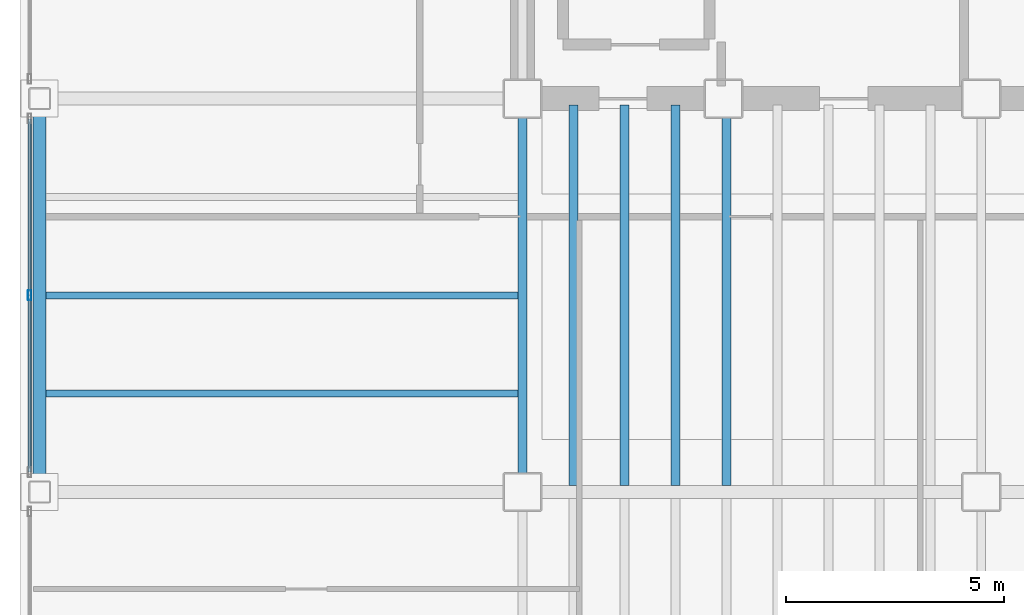
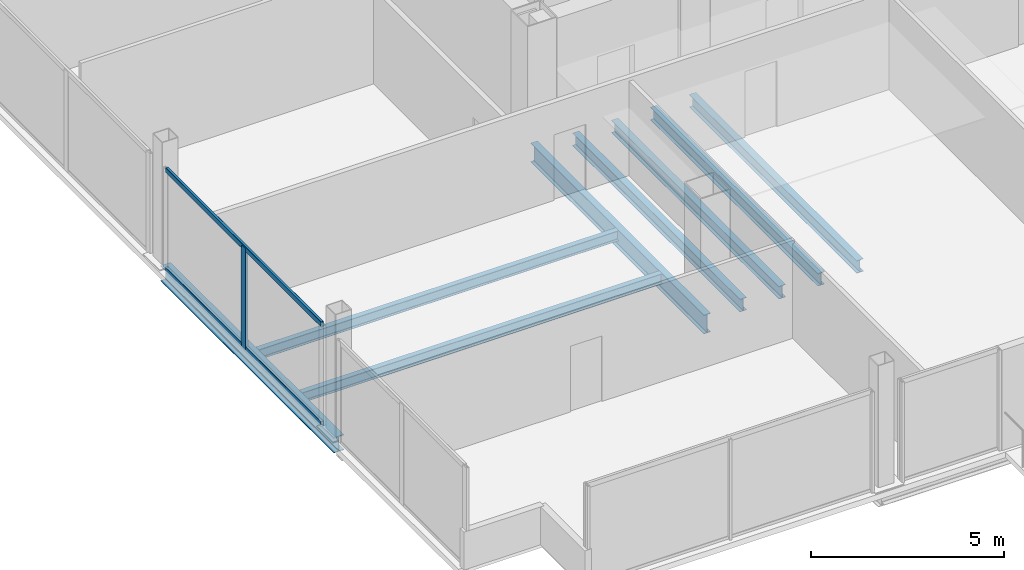
# One storey, part 3 of 20: 8 beams, 3 members, 1 element without a shape of its own.
"""IFC4 building model written with IfcOpenShell, lengths in metres."""

import ifcopenshell
import ifcopenshell.guid

model = None  # the IFC model being written
_history = None  # IfcOwnerHistory: only IFC2X3 demands one
_inside = {}  # id of a spatial element -> (the spatial element, [elements in it])
_under = {}  # id of a project, library or spatial element -> (it, [spatial elements below it])
_declared = {}  # id of a project -> (the project, [libraries it declares])
_typed = {}  # id of a type object -> (the type object, [elements of that type])
_made_of = {}  # id of a material, layer set ... -> (it, [elements and type objects made of it])


def new_model(schema):
    """Start an empty IFC model of exactly this schema.

    Asked for "IFC4X3", IfcOpenShell would pick the latest addendum, in which some entities
    have other attributes; the version numbers below select the first issue.
    IFC2X3 requires an IfcOwnerHistory on every rooted entity: one is made here for all.
    """
    global model, _history
    if schema == "IFC4X3":
        model = ifcopenshell.file(schema_version=(4, 3, 0, 0))
    else:
        model = ifcopenshell.file(schema=schema)
    _inside.clear()
    _under.clear()
    _declared.clear()
    _typed.clear()
    _made_of.clear()
    _history = None
    if model.schema == "IFC2X3":
        org = make("IfcOrganization", Name="unknown")
        user = make(
            "IfcPersonAndOrganization",
            ThePerson=make("IfcPerson", FamilyName="unknown"),
            TheOrganization=org,
        )
        app = make(
            "IfcApplication",
            ApplicationDeveloper=org,
            Version="unknown",
            ApplicationFullName="unknown",
            ApplicationIdentifier="unknown",
        )
        _history = make(
            "IfcOwnerHistory",
            OwningUser=user,
            OwningApplication=app,
            ChangeAction="ADDED",
            CreationDate=0,
        )
    return model


def make(cls, **values):
    """One entity of the class cls with the attributes given. An attribute that is None is left unset."""
    return model.create_entity(
        cls, **{name: value for name, value in values.items() if value is not None}
    )


def rooted(cls, **values):
    """An entity with a GlobalId (a new one), such as an element, a storey or a relation."""
    return make(cls, GlobalId=ifcopenshell.guid.new(), OwnerHistory=_history, **values)


def si_unit(unit_type, name, prefix=None):
    """IfcSIUnit, for example si_unit("LENGTHUNIT", "METRE", prefix="MILLI")."""
    return make("IfcSIUnit", UnitType=unit_type, Prefix=prefix, Name=name)


def assignment(units):
    """IfcUnitAssignment: the units of a project."""
    return None if units is None else make("IfcUnitAssignment", Units=units)


def point(xyz):
    """IfcCartesianPoint."""
    return None if xyz is None else make("IfcCartesianPoint", Coordinates=xyz)


def direction(xyz):
    """IfcDirection."""
    return None if xyz is None else make("IfcDirection", DirectionRatios=xyz)


def frame(location, z_axis=None, x_axis=None):
    """IfcAxis2Placement3D, a coordinate frame: its origin and axes. An axis left out is left unset."""
    return make(
        "IfcAxis2Placement3D",
        Location=point(location),
        Axis=direction(z_axis),
        RefDirection=direction(x_axis),
    )


def frame_2d(location, x_axis=None):
    """IfcAxis2Placement2D, a coordinate frame in the plane: its origin and x axis."""
    return make(
        "IfcAxis2Placement2D", Location=point(location), RefDirection=direction(x_axis)
    )


def origin():
    """The frame at (0, 0, 0) with its axes left unset."""
    return frame((0.0, 0.0, 0.0))


def origin_2d():
    """The frame at (0, 0) in the plane with its x axis left unset."""
    return frame_2d((0.0, 0.0))


def place(relative_to, where):
    """IfcLocalPlacement: puts the frame where relative to a parent placement (None: the world)."""
    return make(
        "IfcLocalPlacement", PlacementRelTo=relative_to, RelativePlacement=where
    )


def context(
    kind, dimensions, precision=None, world=None, true_north=None, identifier=None
):
    """IfcGeometricRepresentationContext, for example the 3D "Model" context."""
    return make(
        "IfcGeometricRepresentationContext",
        ContextIdentifier=identifier,
        ContextType=kind,
        CoordinateSpaceDimension=dimensions,
        Precision=precision,
        WorldCoordinateSystem=world,
        TrueNorth=true_north,
    )


def subcontext(parent, identifier, kind, view, scale=None):
    """IfcGeometricRepresentationSubContext, for example "Body" below "Model"."""
    return make(
        "IfcGeometricRepresentationSubContext",
        ContextIdentifier=identifier,
        ContextType=kind,
        ParentContext=parent,
        TargetScale=scale,
        TargetView=view,
    )


def project(units=None, contexts=None):
    """IfcProject with its units and contexts."""
    return rooted(
        "IfcProject",
        Name="project",
        RepresentationContexts=contexts,
        UnitsInContext=assignment(units),
    )


def spatial(cls, under=None, at=None, **own):
    """A site, building, storey or space (cls), placed at a placement, below another one or the project."""
    s = rooted(cls, ObjectPlacement=at, **own)
    if under is not None:
        _under.setdefault(under.id(), (under, []))[1].append(s)
    return s


def profile(cls, at=None, kind="AREA", **sizes):
    """A parametric profile (cls). Its sizes go by their IFC names, for example OverallWidth=200.0."""
    return make(cls, ProfileType=kind, Position=at, **sizes)


def hollow_rectangle(**sizes):
    """IfcRectangleHollowProfileDef."""
    return profile("IfcRectangleHollowProfileDef", **sizes)


def i_section(**sizes):
    """IfcIShapeProfileDef."""
    return profile("IfcIShapeProfileDef", **sizes)


def extrude(swept, where, along, depth):
    """IfcExtrudedAreaSolid: the profile swept, set in the frame where, extruded along a direction by depth."""
    return make(
        "IfcExtrudedAreaSolid",
        SweptArea=swept,
        Position=where,
        ExtrudedDirection=direction(along),
        Depth=depth,
    )


def shape(context_of_items, identifier, shape_type, items):
    """IfcShapeRepresentation: the items that make up one representation, for example the "Body"."""
    return make(
        "IfcShapeRepresentation",
        ContextOfItems=context_of_items,
        RepresentationIdentifier=identifier,
        RepresentationType=shape_type,
        Items=items,
    )


def material(Name=None, Category=None):
    """IfcMaterial."""
    return make("IfcMaterial", Name=Name, Category=Category)


def material_profile(
    of_material, cross_section, Name=None, Category=None, Priority=None
):
    """IfcMaterialProfile: a cross section and its material."""
    return make(
        "IfcMaterialProfile",
        Name=Name,
        Material=of_material,
        Profile=cross_section,
        Priority=Priority,
        Category=Category,
    )


def profile_set(profiles, Name=None, composite=None):
    """IfcMaterialProfileSet."""
    return make(
        "IfcMaterialProfileSet",
        Name=Name,
        MaterialProfiles=profiles,
        CompositeProfile=composite,
    )


def made_of(thing, what):
    """Note that an element or type object is made of a material, layer set ...; save() writes the relation."""
    if what is not None:
        _made_of.setdefault(what.id(), (what, []))[1].append(thing)
    return thing


def type_object(cls, material=None, **own):
    """A type object (cls), such as IfcWallType, which elements share."""
    return made_of(rooted(cls, **own), material)


def element(
    cls,
    number,
    at=None,
    inside=None,
    cuts=None,
    type_object=None,
    material=None,
    context=None,
    identifier="Body",
    shape_type=None,
    held_by="IfcProductDefinitionShape",
    body=None,
    shapes=None,
    **own,
):
    """One element of the class cls, such as IfcWall. Its Tag is "e" and its number.

    at: its placement. inside: the storey or other place that contains it. cuts: it is an
    opening in that element (IfcRelVoidsElement). A single representation is given by context,
    identifier, shape_type and body (its items); several are given by shapes. held_by: the class
    of the entity that holds the representations. save() writes the other relations.
    """
    e = rooted(cls, Tag="e%d" % number, ObjectPlacement=at, **own)
    if body is not None:
        shapes = [shape(context, identifier, shape_type, body)]
    if shapes is not None:
        e.Representation = make(held_by, Representations=shapes)
    if inside is not None:
        _inside.setdefault(inside.id(), (inside, []))[1].append(e)
    if cuts is not None:
        rooted(
            "IfcRelVoidsElement", RelatingBuildingElement=cuts, RelatedOpeningElement=e
        )
    if type_object is not None:
        _typed.setdefault(type_object.id(), (type_object, []))[1].append(e)
    return made_of(e, material)


def aggregate(whole, parts):
    """IfcRelAggregates: a whole, such as a stair, and the parts it consists of."""
    return rooted("IfcRelAggregates", RelatingObject=whole, RelatedObjects=parts)


def save(model, path):
    """Write the relations noted so far, then the file.

    IfcRelAggregates (storeys below a building ...), IfcRelContainedInSpatialStructure (elements
    in a storey), IfcRelDefinesByType, IfcRelAssociatesMaterial and IfcRelDeclares: one each for
    every whole, place, type object, material and project.
    """
    for whole, parts in _under.values():
        aggregate(whole, parts)
    for where, things in _inside.values():
        rooted(
            "IfcRelContainedInSpatialStructure",
            RelatedElements=things,
            RelatingStructure=where,
        )
    for kind, things in _typed.values():
        rooted("IfcRelDefinesByType", RelatedObjects=things, RelatingType=kind)
    for what, things in _made_of.values():
        rooted("IfcRelAssociatesMaterial", RelatedObjects=things, RelatingMaterial=what)
    for by, libraries in _declared.values():
        rooted("IfcRelDeclares", RelatingContext=by, RelatedDefinitions=libraries)
    model.write(path)


model = new_model("IFC4")

# Units and contexts
model_context = context("Model", 3, precision=1e-05, world=origin(), true_north=direction((0.0, 1.0)))
body_context = subcontext(model_context, "Body", "Model", "MODEL_VIEW")
ifc_project = project(units=[si_unit("LENGTHUNIT", "METRE"), si_unit("AREAUNIT", "SQUARE_METRE"), si_unit("VOLUMEUNIT", "CUBIC_METRE"), si_unit("PLANEANGLEUNIT", "RADIAN"), si_unit("MASSUNIT", "GRAM", prefix="KILO")], contexts=[model_context])

# Site, building, storey
site_placement = place(None, origin())
site = spatial("IfcSite", under=ifc_project, at=site_placement, CompositionType="ELEMENT")
building_placement = place(site_placement, origin())
building = spatial("IfcBuilding", under=site, at=building_placement, Name="Noeulbin Bourse Tower", CompositionType="ELEMENT")
storey_placement = place(building_placement, frame((0.0, 0.0, 118.800048828125)))
storey = spatial("IfcBuildingStorey", under=building, at=storey_placement, Name="L29", CompositionType="ELEMENT", Elevation=118.800048828125)

# Beams
ifc_material_1 = material(Name="Steel S355", Category="steel")
ifc_material_profile_1 = material_profile(ifc_material_1, i_section(OverallWidth=0.199951171875, OverallDepth=0.60009765625, WebThickness=0.010986328125, FlangeThickness=0.01708984375, FilletRadius=0.02197265625, at=origin_2d()), Name="H-600x200x11x17", Category="LoadBearing")
ifc_profile_set_1 = profile_set([ifc_material_profile_1], Name="Steel S355")
beam_type_1 = type_object("IfcBeamType", Name="BM-GRD-600", PredefinedType="USERDEFINED", material=ifc_profile_set_1)
beam_1_placement = place(storey_placement, frame((13.5, 20.0, -0.47998046875), z_axis=(0.0, 1.0, 0.0), x_axis=(-1.0, 0.0, 0.0)))
element("IfcBeam", 1, at=beam_1_placement, inside=storey, type_object=beam_type_1, Name="Tower Primary Girder NS L29-1.2", ObjectType="GIRDER", PredefinedType="USERDEFINED", context=body_context, shape_type="SweptSolid", body=[
    extrude(i_section(OverallWidth=0.199951171875, OverallDepth=0.60009765625, WebThickness=0.010986328125, FlangeThickness=0.01708984375, FilletRadius=0.02197265625, at=origin_2d()), origin(), (0.0, 0.0, 1.0), 9.0),
])
ifc_material_profile_2 = material_profile(ifc_material_1, i_section(OverallWidth=0.159912109375, OverallDepth=0.320068359375, WebThickness=0.006591796875, FlangeThickness=0.010009765625, FilletRadius=0.012939453125, at=origin_2d()), Name="H-320x160x6.5x10", Category="LoadBearing")
ifc_profile_set_2 = profile_set([ifc_material_profile_2], Name="Steel S355")
beam_type_2 = type_object("IfcBeamType", Name="BM-JST-320", PredefinedType="JOIST", material=ifc_profile_set_2)
for number, where, z_axis, x_axis, name in (
    (2, (2.60009765625, 22.25, -0.340087890625), (1.0, 0.0, 0.0), (0.0, 1.0, 0.0), "Wing Composite Joist L29-W47"),
    (3, (2.60009765625, 24.5, -0.340087890625), (1.0, 0.0, 0.0), (0.0, 1.0, 0.0), "Wing Composite Joist L29-W48"),
):
    element("IfcBeam", number, at=place(storey_placement, frame(where, z_axis=z_axis, x_axis=x_axis)), inside=storey, type_object=beam_type_2, Name=name, PredefinedType="JOIST", context=body_context, shape_type="SweptSolid", body=[
        extrude(i_section(OverallWidth=0.159912109375, OverallDepth=0.320068359375, WebThickness=0.006591796875, FlangeThickness=0.010009765625, FilletRadius=0.012939453125, at=origin_2d()), origin(), (0.0, 0.0, 1.0), 10.7998046875),
    ])
ifc_material_profile_3 = material_profile(ifc_material_1, i_section(OverallWidth=0.199951171875, OverallDepth=0.39990234375, WebThickness=0.008056640625, FlangeThickness=0.012939453125, FilletRadius=0.01611328125, at=origin_2d()), Name="H-400x200x8x13", Category="LoadBearing")
ifc_profile_set_3 = profile_set([ifc_material_profile_3], Name="Steel S355")
beam_type_3 = type_object("IfcBeamType", Name="BM-SEC-400", PredefinedType="BEAM", material=ifc_profile_set_3)
for number, where, z_axis, x_axis, name in (
    (4, (14.666748046875, 20.14990234375, -0.380126953125), (0.0, 1.0, 0.0), (-1.0, 0.0, 0.0), "Tower Composite Joist L29-02"),
    (5, (15.833251953125, 20.14990234375, -0.380126953125), (0.0, 1.0, 0.0), (-1.0, 0.0, 0.0), "Tower Composite Joist L29-04"),
    (6, (17.0, 20.14990234375, -0.380126953125), (0.0, 1.0, 0.0), (-1.0, 0.0, 0.0), "Tower Composite Joist L29-06"),
    (7, (18.166748046875, 20.14990234375, -0.380126953125), (0.0, 1.0, 0.0), (-1.0, 0.0, 0.0), "Tower Composite Joist L29-08"),
):
    element("IfcBeam", number, at=place(storey_placement, frame(where, z_axis=z_axis, x_axis=x_axis)), inside=storey, type_object=beam_type_3, Name=name, PredefinedType="BEAM", context=body_context, shape_type="SweptSolid", body=[
        extrude(i_section(OverallWidth=0.199951171875, OverallDepth=0.39990234375, WebThickness=0.008056640625, FlangeThickness=0.012939453125, FilletRadius=0.01611328125, at=origin_2d()), origin(), (0.0, 0.0, 1.0), 8.7001953125),
    ])
ifc_material_profile_4 = material_profile(ifc_material_1, i_section(OverallWidth=0.300048828125, OverallDepth=0.488037109375, WebThickness=0.010986328125, FlangeThickness=0.01806640625, FilletRadius=0.02197265625, at=origin_2d()), Name="H-488x300x11x18", Category="LoadBearing")
ifc_profile_set_4 = profile_set([ifc_material_profile_4], Name="Steel S355")
beam_type_4 = type_object("IfcBeamType", Name="BM-SPN-488", PredefinedType="SPANDREL", material=ifc_profile_set_4)
beam_2_placement = place(storey_placement, frame((2.449951171875, 20.0, -0.424072265625), z_axis=(0.0, 1.0, 0.0), x_axis=(-1.0, 0.0, 0.0)))
element("IfcBeam", 8, at=beam_2_placement, inside=storey, type_object=beam_type_4, Name="West Spandrel L29-1", PredefinedType="SPANDREL", context=body_context, shape_type="SweptSolid", body=[
    extrude(i_section(OverallWidth=0.300048828125, OverallDepth=0.488037109375, WebThickness=0.010986328125, FlangeThickness=0.01806640625, FilletRadius=0.02197265625, at=origin_2d()), origin(), (0.0, 0.0, 1.0), 9.0),
])

# Curtain wall, members
ifc_material_2 = material(Name="Dark Tinted Triple Glazing", Category="glass")
curtain_wall_type = type_object("IfcCurtainWallType", Name="CW-SYS-3", PredefinedType="NOTDEFINED", material=ifc_material_2)
curtain_wall_placement = place(storey_placement, origin())
curtain_wall = element("IfcCurtainWall", 9, at=curtain_wall_placement, inside=storey, type_object=curtain_wall_type, Name="Unitised Curtain Wall CW-L29-W-S2", PredefinedType="NOTDEFINED")
ifc_material_3 = material(Name="Anodised Aluminium 6063-T6", Category="aluminium")
ifc_material_profile_5 = material_profile(ifc_material_3, hollow_rectangle(XDim=0.074951171875, YDim=0.219970703125, WallThickness=0.0048828125, InnerFilletRadius=0.00244140625, OuterFilletRadius=0.0048828125, at=origin_2d()), Name="ALU-MULL-75x220x5", Category="LoadBearing")
ifc_profile_set_5 = profile_set([ifc_material_profile_5], Name="Anodised Aluminium 6063-T6")
member_type_1 = type_object("IfcMemberType", Name="CW-SYS-3-MUL", PredefinedType="MULLION", material=ifc_profile_set_5)
member_1_placement = place(storey_placement, frame((2.219970703125, 24.5, -0.02001953125), z_axis=(0.0, 0.0, 1.0), x_axis=(1.0, 0.0, 0.0)))
member_1 = element("IfcMember", 10, at=member_1_placement, type_object=member_type_1, Name="Curtain Wall Mullion CW-L29-W-S2-M01", PredefinedType="MULLION", context=body_context, shape_type="SweptSolid", body=[
    extrude(hollow_rectangle(XDim=0.074951171875, YDim=0.219970703125, WallThickness=0.0048828125, InnerFilletRadius=0.00244140625, OuterFilletRadius=0.0048828125, at=origin_2d()), origin(), (0.0, 0.0, 1.0), 3.219970703125),
])
ifc_material_profile_6 = material_profile(ifc_material_3, hollow_rectangle(XDim=0.074951171875, YDim=0.159912109375, WallThickness=0.0048828125, InnerFilletRadius=0.00244140625, OuterFilletRadius=0.0048828125, at=origin_2d()), Name="ALU-TRAN-75x160x5", Category="LoadBearing")
ifc_profile_set_6 = profile_set([ifc_material_profile_6], Name="Anodised Aluminium 6063-T6")
member_type_2 = type_object("IfcMemberType", Name="CW-SYS-3-TRN", PredefinedType="USERDEFINED", material=ifc_profile_set_6)
member_2_placement = place(storey_placement, frame((2.219970703125, 20.4599609375, 0.010009765625), z_axis=(0.0, 1.0, 0.0), x_axis=(-1.0, 0.0, 0.0)))
member_2 = element("IfcMember", 11, at=member_2_placement, type_object=member_type_2, Name="Curtain Wall Transom CW-L29-W-S2-T00", ObjectType="TRANSOM", PredefinedType="USERDEFINED", context=body_context, shape_type="SweptSolid", body=[
    extrude(hollow_rectangle(XDim=0.074951171875, YDim=0.159912109375, WallThickness=0.0048828125, InnerFilletRadius=0.00244140625, OuterFilletRadius=0.0048828125, at=origin_2d()), origin(), (0.0, 0.0, 1.0), 8.080078125),
])
member_3_placement = place(storey_placement, frame((2.219970703125, 20.4599609375, 3.169921875), z_axis=(0.0, 1.0, 0.0), x_axis=(-1.0, 0.0, 0.0)))
member_3 = element("IfcMember", 12, at=member_3_placement, type_object=member_type_2, Name="Curtain Wall Transom CW-L29-W-S2-T01", ObjectType="TRANSOM", PredefinedType="USERDEFINED", context=body_context, shape_type="SweptSolid", body=[
    extrude(hollow_rectangle(XDim=0.074951171875, YDim=0.159912109375, WallThickness=0.0048828125, InnerFilletRadius=0.00244140625, OuterFilletRadius=0.0048828125, at=origin_2d()), origin(), (0.0, 0.0, 1.0), 8.080078125),
])
aggregate(curtain_wall, [member_1, member_2, member_3])

save(model, "model.ifc")
